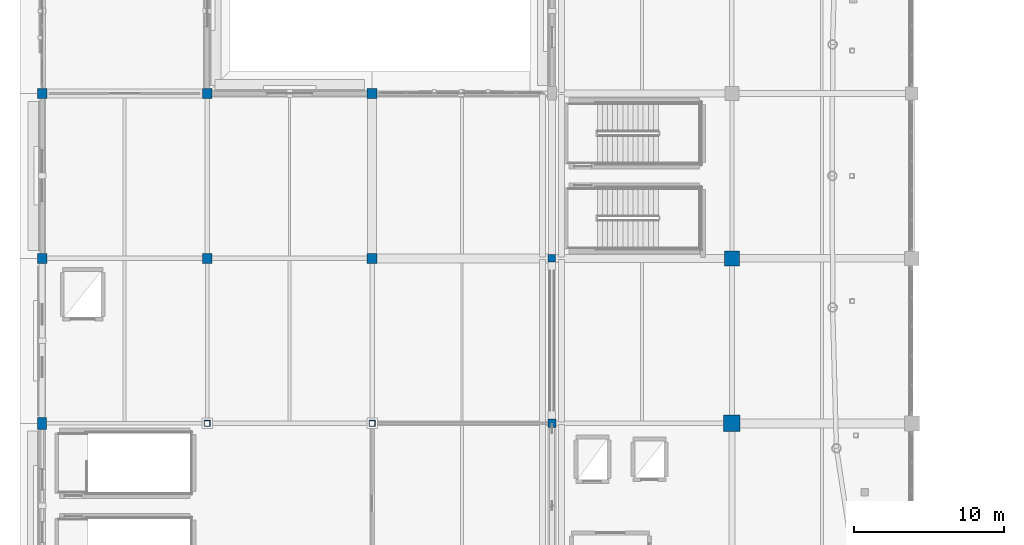
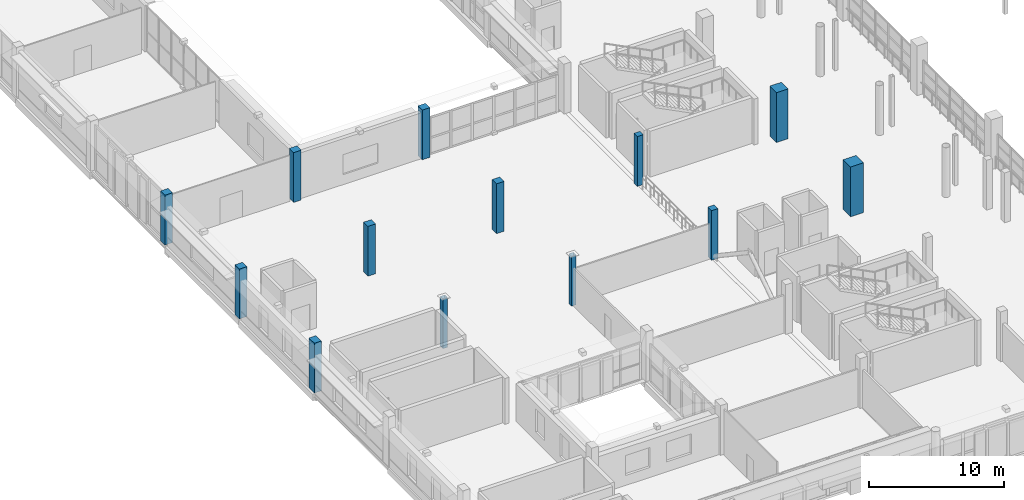
# One storey, part 3 of 118: 13 columns.
"""IFC4 building model written with IfcOpenShell, lengths in metres."""

from ifc_helpers import new_model, si_unit, direction, frame, origin, origin_2d, place, context, subcontext, project, spatial, rectangle, hollow_rectangle, extrude, material, material_profile, profile_set, type_object, element, save


model = new_model("IFC4")

# Units and contexts
model_context = context("Model", 3, precision=1e-05, world=origin(), true_north=direction((0.0, 1.0)))
body_context = subcontext(model_context, "Body", "Model", "MODEL_VIEW")
ifc_project = project(units=[si_unit("LENGTHUNIT", "METRE"), si_unit("AREAUNIT", "SQUARE_METRE"), si_unit("VOLUMEUNIT", "CUBIC_METRE"), si_unit("PLANEANGLEUNIT", "RADIAN"), si_unit("MASSUNIT", "GRAM", prefix="KILO")], contexts=[model_context])

# Site, building, storey
site_placement = place(None, origin())
site = spatial("IfcSite", under=ifc_project, at=site_placement, CompositionType="ELEMENT")
building_placement = place(site_placement, origin())
building = spatial("IfcBuilding", under=site, at=building_placement, Name="Luwafu Chhajja Arena", CompositionType="ELEMENT")
storey_placement = place(building_placement, frame((0.0, 0.0, 10.199951171875)))
storey = spatial("IfcBuildingStorey", under=building, at=storey_placement, Name="L02", CompositionType="ELEMENT", Elevation=10.199951171875)

# Columns
ifc_material_1 = material(Name="Concrete C40/50", Category="concrete")
ifc_material_profile_1 = material_profile(ifc_material_1, rectangle(XDim=1.0, YDim=1.0, at=origin_2d()), Name="RC 1000x1000")
ifc_profile_set_1 = profile_set([ifc_material_profile_1], Name="Concrete C40/50")
column_type_1 = type_object("IfcColumnType", Name="Bowl Primary Column RC 1000", PredefinedType="COLUMN", material=ifc_profile_set_1)
column_1_placement = place(storey_placement, frame((46.0, 44.0, 0.0), z_axis=(0.0, 0.0, 1.0), x_axis=(1.0, 0.0, 0.0)))
element("IfcColumn", 1, at=column_1_placement, inside=storey, type_object=column_type_1, Name="L02 Grid Column 5/E", PredefinedType="COLUMN", context=body_context, shape_type="SweptSolid", body=[
    extrude(rectangle(XDim=1.0, YDim=1.0, at=origin_2d()), origin(), (0.0, 0.0, 1.0), 4.5),
])
ifc_material_profile_2 = material_profile(ifc_material_1, rectangle(XDim=1.10009765625, YDim=1.10009765625, at=origin_2d()), Name="RC 1100x1100")
ifc_profile_set_2 = profile_set([ifc_material_profile_2], Name="Concrete C40/50")
column_type_2 = type_object("IfcColumnType", Name="Bowl Rim Mega Column RC 1100", PredefinedType="COLUMN", material=ifc_profile_set_2)
column_2_placement = place(storey_placement, frame((46.0, 33.0, 0.0), z_axis=(0.0, 0.0, 1.0), x_axis=(1.0, 0.0, 0.0)))
element("IfcColumn", 2, at=column_2_placement, inside=storey, type_object=column_type_2, Name="L02 Grid Column 5/D", PredefinedType="COLUMN", context=body_context, shape_type="SweptSolid", body=[
    extrude(rectangle(XDim=1.10009765625, YDim=1.10009765625, at=origin_2d()), origin(), (0.0, 0.0, 1.0), 4.5),
])
ifc_material_2 = material(Name="Concrete C35/45", Category="concrete")
ifc_material_profile_3 = material_profile(ifc_material_2, rectangle(XDim=0.550048828125, YDim=0.550048828125, at=origin_2d()), Name="RC 550x550")
ifc_profile_set_3 = profile_set([ifc_material_profile_3], Name="Concrete C35/45")
column_type_3 = type_object("IfcColumnType", Name="Gallery Column RC 550", PredefinedType="COLUMN", material=ifc_profile_set_3)
column_3_placement = place(storey_placement, frame((34.0, 33.0, 0.0), z_axis=(0.0, 0.0, 1.0), x_axis=(1.0, 0.0, 0.0)))
element("IfcColumn", 3, at=column_3_placement, inside=storey, type_object=column_type_3, Name="L02 Grid Column 4/D", PredefinedType="COLUMN", context=body_context, shape_type="SweptSolid", body=[
    extrude(rectangle(XDim=0.550048828125, YDim=0.550048828125, at=origin_2d()), origin(), (0.0, 0.0, 1.0), 4.5),
])
ifc_material_profile_4 = material_profile(ifc_material_2, rectangle(XDim=0.5, YDim=0.5, at=origin_2d()), Name="RC 500x500")
ifc_profile_set_4 = profile_set([ifc_material_profile_4], Name="Concrete C35/45")
column_type_4 = type_object("IfcColumnType", Name="Pavilion Column RC 500", PredefinedType="COLUMN", material=ifc_profile_set_4)
column_4_placement = place(storey_placement, frame((34.0, 44.0, 0.0), z_axis=(0.0, 0.0, 1.0), x_axis=(1.0, 0.0, 0.0)))
element("IfcColumn", 4, at=column_4_placement, inside=storey, type_object=column_type_4, Name="L02 Grid Column 4/E", PredefinedType="COLUMN", context=body_context, shape_type="SweptSolid", body=[
    extrude(rectangle(XDim=0.5, YDim=0.5, at=origin_2d()), origin(), (0.0, 0.0, 1.0), 4.5),
])
ifc_material_profile_5 = material_profile(ifc_material_1, rectangle(XDim=0.60009765625, YDim=0.800048828125, at=origin_2d()), Name="RC 600x800")
ifc_profile_set_5 = profile_set([ifc_material_profile_5], Name="Concrete C40/50")
column_type_5 = type_object("IfcColumnType", Name="Pishtaq Pier Column RC 600x800", PredefinedType="COLUMN", material=ifc_profile_set_5)
column_5_placement = place(storey_placement, frame((0.0, 33.0, 0.0), z_axis=(0.0, 0.0, 1.0), x_axis=(1.0, 0.0, 0.0)))
element("IfcColumn", 5, at=column_5_placement, inside=storey, type_object=column_type_5, Name="L02 Grid Column 1/D", PredefinedType="COLUMN", context=body_context, shape_type="SweptSolid", body=[
    extrude(rectangle(XDim=0.60009765625, YDim=0.800048828125, at=origin_2d()), origin(), (0.0, 0.0, 1.0), 4.5),
])
ifc_material_3 = material(Name="Steel S355", Category="steel")
ifc_material_profile_6 = material_profile(ifc_material_3, hollow_rectangle(XDim=0.39990234375, YDim=0.39990234375, WallThickness=0.02001953125, at=origin_2d()), Name="SHS 400x400x20")
ifc_profile_set_6 = profile_set([ifc_material_profile_6], Name="Steel S355")
column_type_6 = type_object("IfcColumnType", Name="Steel Atrium Column SHS 400", PredefinedType="COLUMN", material=ifc_profile_set_6)
for number, where, z_axis, x_axis, name in (
    (6, (11.0, 33.0, 0.0), (0.0, 0.0, 1.0), (1.0, 0.0, 0.0), "L02 Grid Column 2/D"),
    (7, (22.0, 33.0, 0.0), (0.0, 0.0, 1.0), (1.0, 0.0, 0.0), "L02 Grid Column 3/D"),
):
    element("IfcColumn", number, at=place(storey_placement, frame(where, z_axis=z_axis, x_axis=x_axis)), inside=storey, type_object=column_type_6, Name=name, PredefinedType="COLUMN", context=body_context, shape_type="SweptSolid", body=[
        extrude(hollow_rectangle(XDim=0.39990234375, YDim=0.39990234375, WallThickness=0.02001953125, at=origin_2d()), origin(), (0.0, 0.0, 1.0), 4.5),
    ])
ifc_material_profile_7 = material_profile(ifc_material_2, rectangle(XDim=0.64990234375, YDim=0.64990234375, at=origin_2d()), Name="RC 650x650")
ifc_profile_set_7 = profile_set([ifc_material_profile_7], Name="Concrete C35/45")
column_type_7 = type_object("IfcColumnType", Name="Upper Wing Column RC 650", PredefinedType="COLUMN", material=ifc_profile_set_7)
for number, where, z_axis, x_axis, name in (
    (8, (0.0, 44.0, 0.0), (0.0, 0.0, 1.0), (1.0, 0.0, 0.0), "L02 Grid Column 1/E"),
    (9, (0.0, 55.0, 0.0), (0.0, 0.0, 1.0), (1.0, 0.0, 0.0), "L02 Grid Column 1/F"),
    (10, (11.0, 44.0, 0.0), (0.0, 0.0, 1.0), (1.0, 0.0, 0.0), "L02 Grid Column 2/E"),
    (11, (11.0, 55.0, 0.0), (0.0, 0.0, 1.0), (1.0, 0.0, 0.0), "L02 Grid Column 2/F"),
    (12, (22.0, 44.0, 0.0), (0.0, 0.0, 1.0), (1.0, 0.0, 0.0), "L02 Grid Column 3/E"),
    (13, (22.0, 55.0, 0.0), (0.0, 0.0, 1.0), (1.0, 0.0, 0.0), "L02 Grid Column 3/F"),
):
    element("IfcColumn", number, at=place(storey_placement, frame(where, z_axis=z_axis, x_axis=x_axis)), inside=storey, type_object=column_type_7, Name=name, PredefinedType="COLUMN", context=body_context, shape_type="SweptSolid", body=[
        extrude(rectangle(XDim=0.64990234375, YDim=0.64990234375, at=origin_2d()), origin(), (0.0, 0.0, 1.0), 4.5),
    ])

save(model, "model.ifc")
